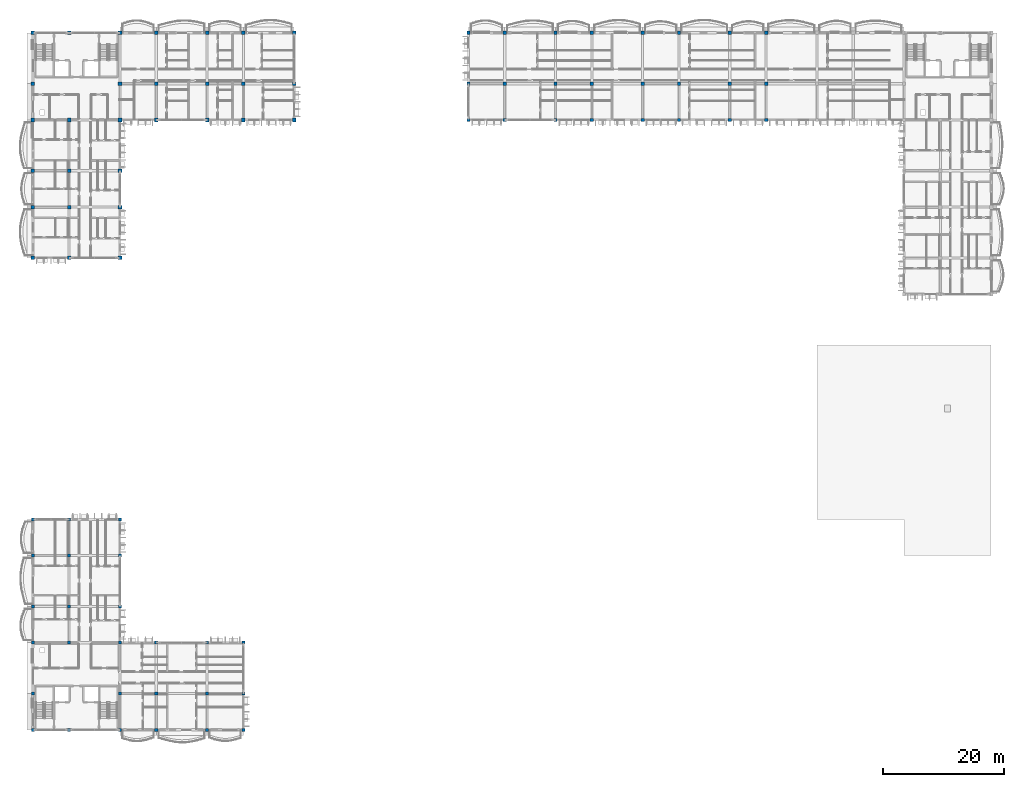
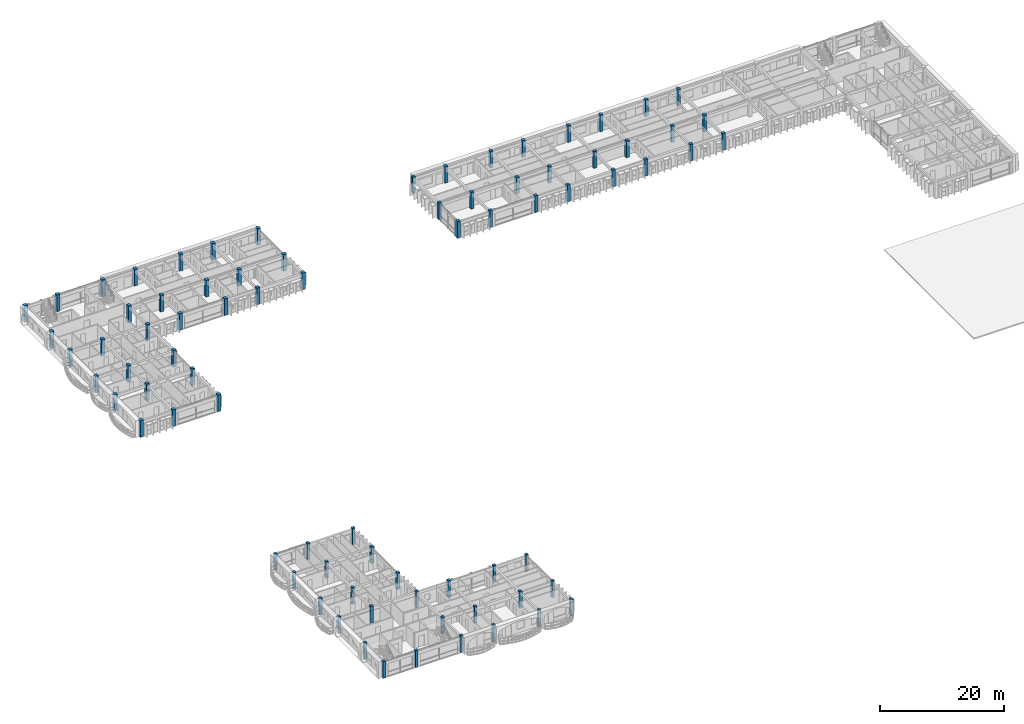
# One storey, part 1 of 54: 79 columns.
"""IFC4 building model written with IfcOpenShell, lengths in metres."""

from ifc_helpers import new_model, si_unit, direction, frame, origin, origin_2d, place, context, subcontext, project, spatial, rectangle, extrude, material, material_profile, profile_set, type_object, element, save


model = new_model("IFC4")

# Units and contexts
model_context = context("Model", 3, precision=1e-05, world=origin(), true_north=direction((0.0, 1.0)))
body_context = subcontext(model_context, "Body", "Model", "MODEL_VIEW")
ifc_project = project(units=[si_unit("LENGTHUNIT", "METRE"), si_unit("AREAUNIT", "SQUARE_METRE"), si_unit("VOLUMEUNIT", "CUBIC_METRE"), si_unit("PLANEANGLEUNIT", "RADIAN"), si_unit("MASSUNIT", "GRAM", prefix="KILO"), si_unit("THERMODYNAMICTEMPERATUREUNIT", "KELVIN")], contexts=[model_context])

# Site, building, storey
site_placement = place(None, origin())
site = spatial("IfcSite", under=ifc_project, at=site_placement, CompositionType="ELEMENT")
building_placement = place(site_placement, origin())
building = spatial("IfcBuilding", under=site, at=building_placement, Name="Thalorik Housing Commons", CompositionType="ELEMENT")
storey_placement = place(building_placement, frame((0.0, 0.0, 31.199951171875)))
storey = spatial("IfcBuildingStorey", under=building, at=storey_placement, Name="L09", CompositionType="ELEMENT", Elevation=31.199951171875)

# Columns
ifc_material = material(Name="Precast concrete C40/50", Category="concrete")
ifc_material_profile_1 = material_profile(ifc_material, rectangle(XDim=0.5, YDim=0.5, at=origin_2d()), Name="PC 500x500", Category="concrete")
ifc_profile_set_1 = profile_set([ifc_material_profile_1], Name="Precast concrete C40/50")
column_type_1 = type_object("IfcColumnType", Name="STR-COL-PC500", PredefinedType="COLUMN", material=ifc_profile_set_1)
for number, where, z_axis, x_axis, name in (
    (1, (8.39990234375, 8.39990234375, 0.0), (0.0, 0.0, 1.0), (1.0, 0.0, 0.0), "L09 Column C-500"),
    (2, (8.39990234375, 14.39990234375, 0.0), (0.0, 0.0, 1.0), (1.0, 0.0, 0.0), "L09 Column C-500"),
    (3, (8.39990234375, 22.800048828125, 0.0), (0.0, 0.0, 1.0), (1.0, 0.0, 0.0), "L09 Column C-500"),
    (4, (8.39990234375, 28.800048828125, 0.0), (0.0, 0.0, 1.0), (1.0, 0.0, 0.0), "L09 Column C-500"),
    (5, (8.39990234375, 37.199951171875, 0.0), (0.0, 0.0, 1.0), (1.0, 0.0, 0.0), "L09 Column C-500"),
    (6, (8.39990234375, 43.199951171875, 0.0), (0.0, 0.0, 1.0), (1.0, 0.0, 0.0), "L09 Column C-500"),
    (7, (14.39990234375, 8.39990234375, 0.0), (0.0, 0.0, 1.0), (1.0, 0.0, 0.0), "L09 Column C-500"),
    (8, (14.39990234375, 22.800048828125, 0.0), (0.0, 0.0, 1.0), (1.0, 0.0, 0.0), "L09 Column C-500"),
    (9, (14.39990234375, 28.800048828125, 0.0), (0.0, 0.0, 1.0), (1.0, 0.0, 0.0), "L09 Column C-500"),
    (10, (14.39990234375, 37.199951171875, 0.0), (0.0, 0.0, 1.0), (1.0, 0.0, 0.0), "L09 Column C-500"),
    (11, (14.39990234375, 43.199951171875, 0.0), (0.0, 0.0, 1.0), (1.0, 0.0, 0.0), "L09 Column C-500"),
    (12, (22.800048828125, 8.39990234375, 0.0), (0.0, 0.0, 1.0), (1.0, 0.0, 0.0), "L09 Column C-500"),
    (13, (22.800048828125, 14.39990234375, 0.0), (0.0, 0.0, 1.0), (1.0, 0.0, 0.0), "L09 Column C-500"),
    (14, (22.800048828125, 22.800048828125, 0.0), (0.0, 0.0, 1.0), (1.0, 0.0, 0.0), "L09 Column C-500"),
    (15, (22.800048828125, 28.800048828125, 0.0), (0.0, 0.0, 1.0), (1.0, 0.0, 0.0), "L09 Column C-500"),
    (16, (22.800048828125, 37.199951171875, 0.0), (0.0, 0.0, 1.0), (1.0, 0.0, 0.0), "L09 Column C-500"),
    (17, (22.800048828125, 43.199951171875, 0.0), (0.0, 0.0, 1.0), (1.0, 0.0, 0.0), "L09 Column C-500"),
    (18, (28.800048828125, 8.39990234375, 0.0), (0.0, 0.0, 1.0), (1.0, 0.0, 0.0), "L09 Column C-500"),
    (19, (28.800048828125, 14.39990234375, 0.0), (0.0, 0.0, 1.0), (1.0, 0.0, 0.0), "L09 Column C-500"),
    (20, (28.800048828125, 22.800048828125, 0.0), (0.0, 0.0, 1.0), (1.0, 0.0, 0.0), "L09 Column C-500"),
    (21, (37.199951171875, 8.39990234375, 0.0), (0.0, 0.0, 1.0), (1.0, 0.0, 0.0), "L09 Column C-500"),
    (22, (37.199951171875, 14.39990234375, 0.0), (0.0, 0.0, 1.0), (1.0, 0.0, 0.0), "L09 Column C-500"),
    (23, (37.199951171875, 22.800048828125, 0.0), (0.0, 0.0, 1.0), (1.0, 0.0, 0.0), "L09 Column C-500"),
    (24, (43.199951171875, 8.39990234375, 0.0), (0.0, 0.0, 1.0), (1.0, 0.0, 0.0), "L09 Column C-500"),
    (25, (43.199951171875, 14.39990234375, 0.0), (0.0, 0.0, 1.0), (1.0, 0.0, 0.0), "L09 Column C-500"),
    (26, (43.199951171875, 22.800048828125, 0.0), (0.0, 0.0, 1.0), (1.0, 0.0, 0.0), "L09 Column C-500"),
):
    element("IfcColumn", number, at=place(storey_placement, frame(where, z_axis=z_axis, x_axis=x_axis)), inside=storey, type_object=column_type_1, Name=name, PredefinedType="COLUMN", context=body_context, shape_type="SweptSolid", body=[
        extrude(rectangle(XDim=0.5, YDim=0.5, at=origin_2d()), origin(), (0.0, 0.0, 1.0), 3.300048828125),
    ])
ifc_material_profile_2 = material_profile(ifc_material, rectangle(XDim=0.550048828125, YDim=0.550048828125, at=origin_2d()), Name="PC 550x550", Category="concrete")
ifc_profile_set_2 = profile_set([ifc_material_profile_2], Name="Precast concrete C40/50")
column_type_2 = type_object("IfcColumnType", Name="STR-COL-PC550", PredefinedType="COLUMN", material=ifc_profile_set_2)
for number, where, z_axis, x_axis, name in (
    (27, (80.39990234375, 109.199951171875, 0.0), (0.0, 0.0, 1.0), (1.0, 0.0, 0.0), "L09 Column C-550"),
    (28, (80.39990234375, 115.199951171875, 0.0), (0.0, 0.0, 1.0), (1.0, 0.0, 0.0), "L09 Column C-550"),
    (29, (80.39990234375, 123.60009765625, 0.0), (0.0, 0.0, 1.0), (1.0, 0.0, 0.0), "L09 Column C-550"),
    (30, (86.39990234375, 109.199951171875, 0.0), (0.0, 0.0, 1.0), (1.0, 0.0, 0.0), "L09 Column C-550"),
    (31, (86.39990234375, 115.199951171875, 0.0), (0.0, 0.0, 1.0), (1.0, 0.0, 0.0), "L09 Column C-550"),
    (32, (86.39990234375, 123.60009765625, 0.0), (0.0, 0.0, 1.0), (1.0, 0.0, 0.0), "L09 Column C-550"),
    (33, (94.800048828125, 109.199951171875, 0.0), (0.0, 0.0, 1.0), (1.0, 0.0, 0.0), "L09 Column C-550"),
    (34, (94.800048828125, 115.199951171875, 0.0), (0.0, 0.0, 1.0), (1.0, 0.0, 0.0), "L09 Column C-550"),
    (35, (94.800048828125, 123.60009765625, 0.0), (0.0, 0.0, 1.0), (1.0, 0.0, 0.0), "L09 Column C-550"),
    (36, (100.800048828125, 109.199951171875, 0.0), (0.0, 0.0, 1.0), (1.0, 0.0, 0.0), "L09 Column C-550"),
    (37, (100.800048828125, 115.199951171875, 0.0), (0.0, 0.0, 1.0), (1.0, 0.0, 0.0), "L09 Column C-550"),
    (38, (100.800048828125, 123.60009765625, 0.0), (0.0, 0.0, 1.0), (1.0, 0.0, 0.0), "L09 Column C-550"),
    (39, (109.199951171875, 109.199951171875, 0.0), (0.0, 0.0, 1.0), (1.0, 0.0, 0.0), "L09 Column C-550"),
    (40, (109.199951171875, 115.199951171875, 0.0), (0.0, 0.0, 1.0), (1.0, 0.0, 0.0), "L09 Column C-550"),
    (41, (109.199951171875, 123.60009765625, 0.0), (0.0, 0.0, 1.0), (1.0, 0.0, 0.0), "L09 Column C-550"),
    (42, (115.199951171875, 109.199951171875, 0.0), (0.0, 0.0, 1.0), (1.0, 0.0, 0.0), "L09 Column C-550"),
    (43, (115.199951171875, 115.199951171875, 0.0), (0.0, 0.0, 1.0), (1.0, 0.0, 0.0), "L09 Column C-550"),
    (44, (115.199951171875, 123.60009765625, 0.0), (0.0, 0.0, 1.0), (1.0, 0.0, 0.0), "L09 Column C-550"),
    (45, (123.60009765625, 109.199951171875, 0.0), (0.0, 0.0, 1.0), (1.0, 0.0, 0.0), "L09 Column C-550"),
    (46, (123.60009765625, 115.199951171875, 0.0), (0.0, 0.0, 1.0), (1.0, 0.0, 0.0), "L09 Column C-550"),
    (47, (123.60009765625, 123.60009765625, 0.0), (0.0, 0.0, 1.0), (1.0, 0.0, 0.0), "L09 Column C-550"),
    (48, (129.60009765625, 109.199951171875, 0.0), (0.0, 0.0, 1.0), (1.0, 0.0, 0.0), "L09 Column C-550"),
    (49, (129.60009765625, 115.199951171875, 0.0), (0.0, 0.0, 1.0), (1.0, 0.0, 0.0), "L09 Column C-550"),
    (50, (129.60009765625, 123.60009765625, 0.0), (0.0, 0.0, 1.0), (1.0, 0.0, 0.0), "L09 Column C-550"),
):
    element("IfcColumn", number, at=place(storey_placement, frame(where, z_axis=z_axis, x_axis=x_axis)), inside=storey, type_object=column_type_2, Name=name, PredefinedType="COLUMN", context=body_context, shape_type="SweptSolid", body=[
        extrude(rectangle(XDim=0.550048828125, YDim=0.550048828125, at=origin_2d()), origin(), (0.0, 0.0, 1.0), 3.300048828125),
    ])
ifc_material_profile_3 = material_profile(ifc_material, rectangle(XDim=0.60009765625, YDim=0.60009765625, at=origin_2d()), Name="PC 600x600", Category="concrete")
ifc_profile_set_3 = profile_set([ifc_material_profile_3], Name="Precast concrete C40/50")
column_type_3 = type_object("IfcColumnType", Name="STR-COL-PC600", PredefinedType="COLUMN", material=ifc_profile_set_3)
for number, where, z_axis, x_axis, name in (
    (51, (8.39990234375, 86.39990234375, 0.0), (0.0, 0.0, 1.0), (1.0, 0.0, 0.0), "L09 Column C-600"),
    (52, (8.39990234375, 94.800048828125, 0.0), (0.0, 0.0, 1.0), (1.0, 0.0, 0.0), "L09 Column C-600"),
    (53, (8.39990234375, 100.800048828125, 0.0), (0.0, 0.0, 1.0), (1.0, 0.0, 0.0), "L09 Column C-600"),
    (54, (8.39990234375, 109.199951171875, 0.0), (0.0, 0.0, 1.0), (1.0, 0.0, 0.0), "L09 Column C-600"),
    (55, (8.39990234375, 115.199951171875, 0.0), (0.0, 0.0, 1.0), (1.0, 0.0, 0.0), "L09 Column C-600"),
    (56, (8.39990234375, 123.60009765625, 0.0), (0.0, 0.0, 1.0), (1.0, 0.0, 0.0), "L09 Column C-600"),
    (57, (14.39990234375, 86.39990234375, 0.0), (0.0, 0.0, 1.0), (1.0, 0.0, 0.0), "L09 Column C-600"),
    (58, (14.39990234375, 94.800048828125, 0.0), (0.0, 0.0, 1.0), (1.0, 0.0, 0.0), "L09 Column C-600"),
    (59, (14.39990234375, 100.800048828125, 0.0), (0.0, 0.0, 1.0), (1.0, 0.0, 0.0), "L09 Column C-600"),
    (60, (14.39990234375, 109.199951171875, 0.0), (0.0, 0.0, 1.0), (1.0, 0.0, 0.0), "L09 Column C-600"),
    (61, (14.39990234375, 123.60009765625, 0.0), (0.0, 0.0, 1.0), (1.0, 0.0, 0.0), "L09 Column C-600"),
    (62, (22.800048828125, 86.39990234375, 0.0), (0.0, 0.0, 1.0), (1.0, 0.0, 0.0), "L09 Column C-600"),
    (63, (22.800048828125, 94.800048828125, 0.0), (0.0, 0.0, 1.0), (1.0, 0.0, 0.0), "L09 Column C-600"),
    (64, (22.800048828125, 100.800048828125, 0.0), (0.0, 0.0, 1.0), (1.0, 0.0, 0.0), "L09 Column C-600"),
    (65, (22.800048828125, 109.199951171875, 0.0), (0.0, 0.0, 1.0), (1.0, 0.0, 0.0), "L09 Column C-600"),
    (66, (22.800048828125, 115.199951171875, 0.0), (0.0, 0.0, 1.0), (1.0, 0.0, 0.0), "L09 Column C-600"),
    (67, (22.800048828125, 123.60009765625, 0.0), (0.0, 0.0, 1.0), (1.0, 0.0, 0.0), "L09 Column C-600"),
    (68, (28.800048828125, 109.199951171875, 0.0), (0.0, 0.0, 1.0), (1.0, 0.0, 0.0), "L09 Column C-600"),
    (69, (28.800048828125, 115.199951171875, 0.0), (0.0, 0.0, 1.0), (1.0, 0.0, 0.0), "L09 Column C-600"),
    (70, (28.800048828125, 123.60009765625, 0.0), (0.0, 0.0, 1.0), (1.0, 0.0, 0.0), "L09 Column C-600"),
    (71, (37.199951171875, 109.199951171875, 0.0), (0.0, 0.0, 1.0), (1.0, 0.0, 0.0), "L09 Column C-600"),
    (72, (37.199951171875, 115.199951171875, 0.0), (0.0, 0.0, 1.0), (1.0, 0.0, 0.0), "L09 Column C-600"),
    (73, (37.199951171875, 123.60009765625, 0.0), (0.0, 0.0, 1.0), (1.0, 0.0, 0.0), "L09 Column C-600"),
    (74, (43.199951171875, 109.199951171875, 0.0), (0.0, 0.0, 1.0), (1.0, 0.0, 0.0), "L09 Column C-600"),
    (75, (43.199951171875, 115.199951171875, 0.0), (0.0, 0.0, 1.0), (1.0, 0.0, 0.0), "L09 Column C-600"),
    (76, (43.199951171875, 123.60009765625, 0.0), (0.0, 0.0, 1.0), (1.0, 0.0, 0.0), "L09 Column C-600"),
    (77, (51.60009765625, 109.199951171875, 0.0), (0.0, 0.0, 1.0), (1.0, 0.0, 0.0), "L09 Column C-600"),
    (78, (51.60009765625, 115.199951171875, 0.0), (0.0, 0.0, 1.0), (1.0, 0.0, 0.0), "L09 Column C-600"),
    (79, (51.60009765625, 123.60009765625, 0.0), (0.0, 0.0, 1.0), (1.0, 0.0, 0.0), "L09 Column C-600"),
):
    element("IfcColumn", number, at=place(storey_placement, frame(where, z_axis=z_axis, x_axis=x_axis)), inside=storey, type_object=column_type_3, Name=name, PredefinedType="COLUMN", context=body_context, shape_type="SweptSolid", body=[
        extrude(rectangle(XDim=0.60009765625, YDim=0.60009765625, at=origin_2d()), origin(), (0.0, 0.0, 1.0), 3.300048828125),
    ])

save(model, "model.ifc")
